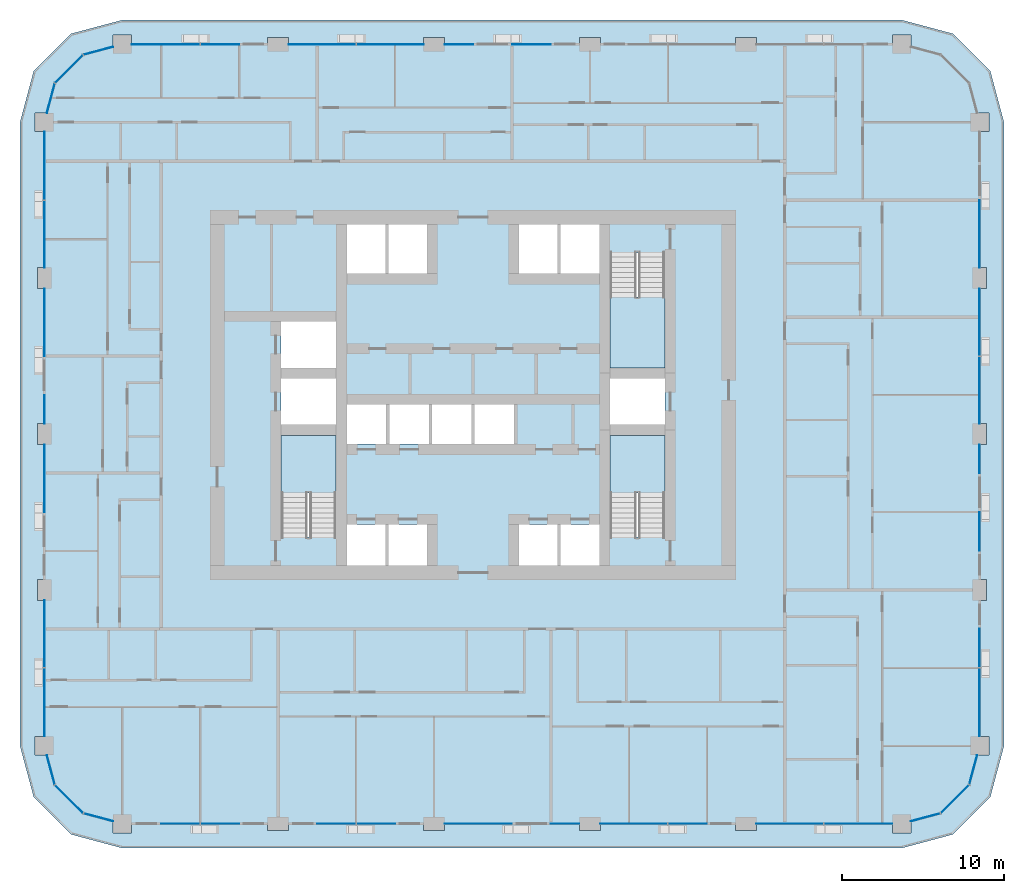
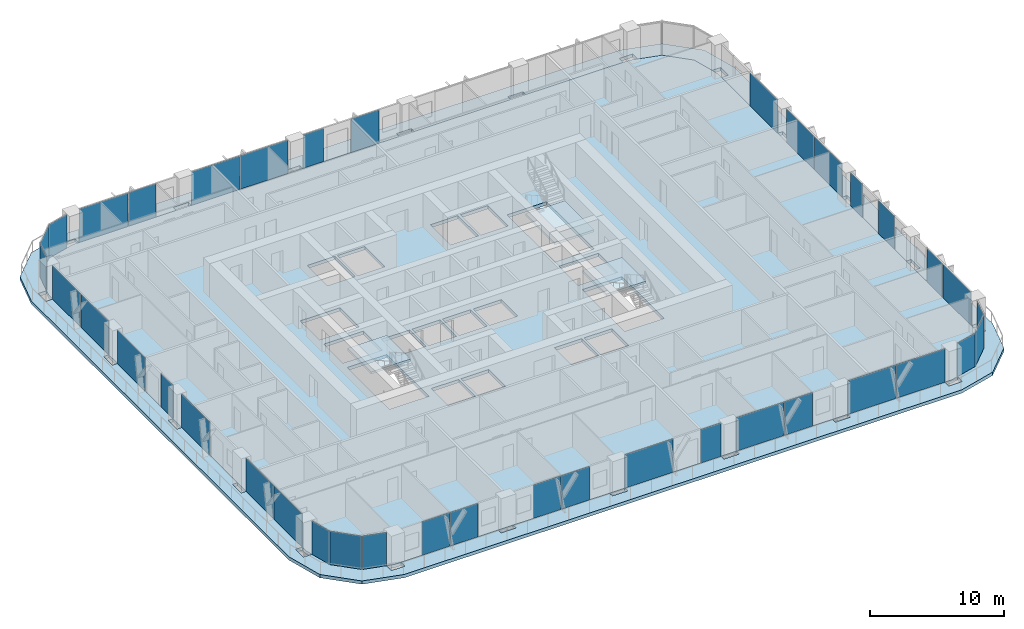
# One storey, part 7 of 21: 39 plates, 5 slabs, 22 elements without a shape of their own.
"""IFC4 building model written with IfcOpenShell, lengths in metres."""

from ifc_helpers import new_model, si_unit, direction, frame, origin, origin_2d, place, context, subcontext, project, spatial, polyline, rectangle, outline, extrude, material, layer, layer_set, type_object, element, aggregate, save


model = new_model("IFC4")

# Units and contexts
model_context = context("Model", 3, precision=1e-05, world=origin(), true_north=direction((0.0, 1.0)))
body_context = subcontext(model_context, "Body", "Model", "MODEL_VIEW")
ifc_project = project(units=[si_unit("LENGTHUNIT", "METRE"), si_unit("AREAUNIT", "SQUARE_METRE"), si_unit("VOLUMEUNIT", "CUBIC_METRE"), si_unit("PLANEANGLEUNIT", "RADIAN"), si_unit("MASSUNIT", "GRAM", prefix="KILO")], contexts=[model_context])

# Site, building, storey
site_placement = place(None, origin())
site = spatial("IfcSite", under=ifc_project, at=site_placement, CompositionType="ELEMENT")
building_placement = place(site_placement, origin())
building = spatial("IfcBuilding", under=site, at=building_placement, Name="Madar Terraces", CompositionType="ELEMENT")
storey_placement = place(building_placement, frame((0.0, 0.0, 80.300048828125)))
storey = spatial("IfcBuildingStorey", under=building, at=storey_placement, Name="L20", CompositionType="ELEMENT", Elevation=80.300048828125)

# Slabs
ifc_material_1 = material(Name="Concrete C50/60", Category="concrete")
ifc_layer_1 = layer(ifc_material_1, 0.300048828125)
ifc_layer_set_1 = layer_set([ifc_layer_1], Name="Balcony band 300")
slab_type_1 = type_object("IfcSlabType", Name="Balcony band 300", PredefinedType="FLOOR", material=ifc_layer_set_1)
slab_1_placement = place(storey_placement, frame((0.0, 0.0, -0.300048828125)))
element("IfcSlab", 1, at=slab_1_placement, inside=storey, type_object=slab_type_1, Name="Balcony band", PredefinedType="FLOOR", context=body_context, shape_type="SweptSolid", body=[
    extrude(outline(polyline([(9.60009765625, -1.5), (6.449951171875, -0.656005859375), (4.14404296875, 1.64990234375), (3.300048828125, 4.800048828125), (3.300048828125, 43.199951171875), (4.14404296875, 46.35009765625), (6.449951171875, 48.656005859375), (9.60009765625, 49.5), (57.60009765625, 49.5), (60.75, 48.656005859375), (63.055908203125, 46.35009765625), (63.89990234375, 43.199951171875), (63.89990234375, 4.800048828125), (63.055908203125, 1.64990234375), (60.75, -0.656005859375), (57.60009765625, -1.5), (9.60009765625, -1.5)]), holes=[polyline([(10.175048828125, -0.574951171875), (10.175048828125, 0.0), (18.550048828125, 0.0), (18.550048828125, -0.425048828125), (19.85009765625, -0.425048828125), (19.85009765625, 0.0), (28.14990234375, 0.0), (28.14990234375, -0.425048828125), (29.449951171875, -0.425048828125), (29.449951171875, 0.0), (37.75, 0.0), (37.75, -0.425048828125), (39.050048828125, -0.425048828125), (39.050048828125, 0.0), (47.35009765625, 0.0), (47.35009765625, -0.425048828125), (48.64990234375, -0.425048828125), (48.64990234375, 0.0), (57.02490234375, 0.0), (57.02490234375, -0.574951171875), (58.175048828125, -0.574951171875), (58.175048828125, 0.154052734375), (60.0, 0.64306640625), (61.7568359375, 2.39990234375), (62.245849609375, 4.22509765625), (62.97509765625, 4.22509765625), (62.97509765625, 5.375), (62.39990234375, 5.375), (62.39990234375, 13.75), (62.824951171875, 13.75), (62.824951171875, 15.050048828125), (62.39990234375, 15.050048828125), (62.39990234375, 23.35009765625), (62.824951171875, 23.35009765625), (62.824951171875, 24.64990234375), (62.39990234375, 24.64990234375), (62.39990234375, 32.949951171875), (62.824951171875, 32.949951171875), (62.824951171875, 34.25), (62.39990234375, 34.25), (62.39990234375, 42.625), (62.97509765625, 42.625), (62.97509765625, 43.77490234375), (62.245849609375, 43.77490234375), (61.7568359375, 45.60009765625), (60.0, 47.35693359375), (58.175048828125, 47.845947265625), (58.175048828125, 48.574951171875), (57.02490234375, 48.574951171875), (57.02490234375, 48.0), (48.64990234375, 48.0), (48.64990234375, 48.425048828125), (47.35009765625, 48.425048828125), (47.35009765625, 48.0), (39.050048828125, 48.0), (39.050048828125, 48.425048828125), (37.75, 48.425048828125), (37.75, 48.0), (29.449951171875, 48.0), (29.449951171875, 48.425048828125), (28.14990234375, 48.425048828125), (28.14990234375, 48.0), (19.85009765625, 48.0), (19.85009765625, 48.425048828125), (18.550048828125, 48.425048828125), (18.550048828125, 48.0), (10.175048828125, 48.0), (10.175048828125, 48.574951171875), (9.02490234375, 48.574951171875), (9.02490234375, 47.845947265625), (7.199951171875, 47.35693359375), (5.443115234375, 45.60009765625), (4.9541015625, 43.77490234375), (4.22509765625, 43.77490234375), (4.22509765625, 42.625), (4.800048828125, 42.625), (4.800048828125, 34.25), (4.375, 34.25), (4.375, 32.949951171875), (4.800048828125, 32.949951171875), (4.800048828125, 24.64990234375), (4.375, 24.64990234375), (4.375, 23.35009765625), (4.800048828125, 23.35009765625), (4.800048828125, 15.050048828125), (4.375, 15.050048828125), (4.375, 13.75), (4.800048828125, 13.75), (4.800048828125, 5.375), (4.22509765625, 5.375), (4.22509765625, 4.22509765625), (4.9541015625, 4.22509765625), (5.443115234375, 2.39990234375), (7.199951171875, 0.64306640625), (9.02490234375, 0.154052734375), (9.02490234375, -0.574951171875), (10.175048828125, -0.574951171875)])]), origin(), (0.0, 0.0, 1.0), 0.300048828125),
])
ifc_material_2 = material(Name="Concrete C50/60", Category="concrete")
ifc_layer_2 = layer(ifc_material_2, 0.300048828125)
ifc_layer_set_2 = layer_set([ifc_layer_2], Name="FS2 PT flat slab 300")
slab_type_2 = type_object("IfcSlabType", Name="FS2 PT flat slab 300", PredefinedType="FLOOR", material=ifc_layer_set_2)
slab_2_placement = place(storey_placement, frame((0.0, 0.0, -0.300048828125)))
element("IfcSlab", 2, at=slab_2_placement, inside=storey, type_object=slab_type_2, Name="Floor slab L20 (1)", PredefinedType="FLOOR", context=body_context, shape_type="SweptSolid", body=[
    extrude(outline(polyline([(57.60009765625, 0.0), (60.0, 0.64306640625), (61.7568359375, 2.39990234375), (62.39990234375, 4.800048828125), (62.39990234375, 43.199951171875), (61.7568359375, 45.60009765625), (60.0, 47.35693359375), (57.60009765625, 48.0), (9.60009765625, 48.0), (7.199951171875, 47.35693359375), (5.443115234375, 45.60009765625), (4.800048828125, 43.199951171875), (4.800048828125, 4.800048828125), (5.443115234375, 2.39990234375), (7.199951171875, 0.64306640625), (9.60009765625, 0.0), (57.60009765625, 0.0)]), holes=[polyline([(23.425048828125, 15.89990234375), (23.425048828125, 18.425048828125), (25.800048828125, 18.425048828125), (25.800048828125, 15.89990234375), (23.425048828125, 15.89990234375)]), polyline([(26.0, 15.89990234375), (26.0, 18.425048828125), (28.375, 18.425048828125), (28.375, 15.89990234375), (26.0, 15.89990234375)]), polyline([(19.375, 17.64990234375), (19.375, 23.925048828125), (22.77490234375, 23.925048828125), (22.77490234375, 17.64990234375), (19.375, 17.64990234375)]), polyline([(23.425048828125, 23.375), (23.425048828125, 25.824951171875), (25.85009765625, 25.824951171875), (25.85009765625, 23.375), (23.425048828125, 23.375)]), polyline([(26.050048828125, 23.375), (26.050048828125, 25.824951171875), (28.47509765625, 25.824951171875), (28.47509765625, 23.375), (26.050048828125, 23.375)]), polyline([(19.375, 24.574951171875), (19.375, 27.425048828125), (22.77490234375, 27.425048828125), (22.77490234375, 24.574951171875), (19.375, 24.574951171875)]), polyline([(19.375, 28.074951171875), (19.375, 30.925048828125), (22.77490234375, 30.925048828125), (22.77490234375, 28.074951171875), (19.375, 28.074951171875)]), polyline([(23.425048828125, 36.89990234375), (25.800048828125, 36.89990234375), (25.800048828125, 33.875), (23.425048828125, 33.875), (23.425048828125, 36.89990234375)]), polyline([(26.0, 36.89990234375), (28.375, 36.89990234375), (28.375, 33.875), (26.0, 33.875), (26.0, 36.89990234375)]), polyline([(34.02490234375, 15.89990234375), (34.02490234375, 18.425048828125), (36.39990234375, 18.425048828125), (36.39990234375, 15.89990234375), (34.02490234375, 15.89990234375)]), polyline([(36.60009765625, 15.89990234375), (36.60009765625, 18.425048828125), (38.97509765625, 18.425048828125), (38.97509765625, 15.89990234375), (36.60009765625, 15.89990234375)]), polyline([(39.625, 17.64990234375), (39.625, 23.925048828125), (43.02490234375, 23.925048828125), (43.02490234375, 17.64990234375), (39.625, 17.64990234375)]), polyline([(28.675048828125, 23.375), (28.675048828125, 25.824951171875), (31.10009765625, 25.824951171875), (31.10009765625, 23.375), (28.675048828125, 23.375)]), polyline([(31.300048828125, 23.375), (31.300048828125, 25.824951171875), (33.72509765625, 25.824951171875), (33.72509765625, 23.375), (31.300048828125, 23.375)]), polyline([(39.625, 24.574951171875), (39.625, 27.425048828125), (43.02490234375, 27.425048828125), (43.02490234375, 24.574951171875), (39.625, 24.574951171875)]), polyline([(39.625, 28.074951171875), (39.625, 35.14990234375), (43.02490234375, 35.14990234375), (43.02490234375, 28.074951171875), (39.625, 28.074951171875)]), polyline([(34.02490234375, 36.89990234375), (36.39990234375, 36.89990234375), (36.39990234375, 33.875), (34.02490234375, 33.875), (34.02490234375, 36.89990234375)]), polyline([(36.60009765625, 36.89990234375), (38.97509765625, 36.89990234375), (38.97509765625, 33.875), (36.60009765625, 33.875), (36.60009765625, 36.89990234375)])]), origin(), (0.0, 0.0, 1.0), 0.300048828125),
])

# Curtain wall, plates
ifc_material_3 = material(Name="Glass, ceramic frit dark grey, with black aluminium frame", Category="aluminium")
ifc_layer_3 = layer(ifc_material_3, 0.199951171875)
ifc_layer_set_3 = layer_set([ifc_layer_3], Name="Facade curtain wall, fritted glass")
curtain_wall_type = type_object("IfcCurtainWallType", Name="Facade curtain wall, fritted glass", PredefinedType="NOTDEFINED", material=ifc_layer_set_3)
curtain_wall_1_placement = place(storey_placement, origin())
curtain_wall_1 = element("IfcCurtainWall", 3, at=curtain_wall_1_placement, inside=storey, type_object=curtain_wall_type, Name="Outer skin curtain wall south bay 1", PredefinedType="NOTDEFINED")
ifc_material_4 = material(Name="Glass, ceramic frit dark grey", Category="glass")
ifc_layer_4 = layer(ifc_material_4, 0.028076171875)
ifc_layer_set_4 = layer_set([ifc_layer_4], Name="Facade glass panel 28")
plate_type = type_object("IfcPlateType", Name="Facade glass panel 28", PredefinedType="CURTAIN_PANEL", material=ifc_layer_set_4)
plate_1_placement = place(storey_placement, frame((13.18505859375, 0.0, 0.0), z_axis=(0.0, 0.0, 1.0), x_axis=(1.0, 0.0, 0.0)))
plate_1 = element("IfcPlate", 4, at=plate_1_placement, type_object=plate_type, Name="Panel 1", PredefinedType="CURTAIN_PANEL", context=body_context, shape_type="SweptSolid", body=[
    extrude(rectangle(XDim=2.3701171875, YDim=0.028076171875, at=origin_2d()), origin(), (0.0, 0.0, 1.0), 3.0400390625),
])
plate_2_placement = place(storey_placement, frame((15.614990234375, 0.0, 0.0), z_axis=(0.0, 0.0, 1.0), x_axis=(1.0, 0.0, 0.0)))
plate_2 = element("IfcPlate", 5, at=plate_2_placement, type_object=plate_type, Name="Panel 2", PredefinedType="CURTAIN_PANEL", context=body_context, shape_type="SweptSolid", body=[
    extrude(rectangle(XDim=2.3701171875, YDim=0.028076171875, at=origin_2d()), origin(), (0.0, 0.0, 1.0), 3.0400390625),
])
aggregate(curtain_wall_1, [plate_1, plate_2])

curtain_wall_2_placement = place(storey_placement, origin())
curtain_wall_2 = element("IfcCurtainWall", 6, at=curtain_wall_2_placement, inside=storey, type_object=curtain_wall_type, Name="Outer skin curtain wall south bay 2", PredefinedType="NOTDEFINED")
plate_3_placement = place(storey_placement, frame((22.784912109375, 0.0, 0.0), z_axis=(0.0, 0.0, 1.0), x_axis=(1.0, 0.0, 0.0)))
plate_3 = element("IfcPlate", 7, at=plate_3_placement, type_object=plate_type, Name="Panel 1", PredefinedType="CURTAIN_PANEL", context=body_context, shape_type="SweptSolid", body=[
    extrude(rectangle(XDim=2.3701171875, YDim=0.028076171875, at=origin_2d()), origin(), (0.0, 0.0, 1.0), 3.0400390625),
])
plate_4_placement = place(storey_placement, frame((25.215087890625, 0.0, 0.0), z_axis=(0.0, 0.0, 1.0), x_axis=(1.0, 0.0, 0.0)))
plate_4 = element("IfcPlate", 8, at=plate_4_placement, type_object=plate_type, Name="Panel 2", PredefinedType="CURTAIN_PANEL", context=body_context, shape_type="SweptSolid", body=[
    extrude(rectangle(XDim=2.3701171875, YDim=0.028076171875, at=origin_2d()), origin(), (0.0, 0.0, 1.0), 3.0400390625),
])
aggregate(curtain_wall_2, [plate_3, plate_4])

curtain_wall_3_placement = place(storey_placement, origin())
curtain_wall_3 = element("IfcCurtainWall", 9, at=curtain_wall_3_placement, inside=storey, type_object=curtain_wall_type, Name="Outer skin curtain wall south bay 3", PredefinedType="NOTDEFINED")
plate_5_placement = place(storey_placement, frame((31.52490234375, 0.0, 0.0), z_axis=(0.0, 0.0, 1.0), x_axis=(1.0, 0.0, 0.0)))
plate_5 = element("IfcPlate", 10, at=plate_5_placement, type_object=plate_type, Name="Panel 1", PredefinedType="CURTAIN_PANEL", context=body_context, shape_type="SweptSolid", body=[
    extrude(rectangle(XDim=4.14990234375, YDim=0.028076171875, at=origin_2d()), origin(), (0.0, 0.0, 1.0), 3.0400390625),
])
plate_6_placement = place(storey_placement, frame((36.875, 0.0, 0.0), z_axis=(0.0, 0.0, 1.0), x_axis=(1.0, 0.0, 0.0)))
plate_6 = element("IfcPlate", 11, at=plate_6_placement, type_object=plate_type, Name="Panel 2", PredefinedType="CURTAIN_PANEL", context=body_context, shape_type="SweptSolid", body=[
    extrude(rectangle(XDim=1.75, YDim=0.028076171875, at=origin_2d()), origin(), (0.0, 0.0, 1.0), 3.0400390625),
])
aggregate(curtain_wall_3, [plate_5, plate_6])

curtain_wall_4_placement = place(storey_placement, origin())
curtain_wall_4 = element("IfcCurtainWall", 12, at=curtain_wall_4_placement, inside=storey, type_object=curtain_wall_type, Name="Outer skin curtain wall south bay 4", PredefinedType="NOTDEFINED")
plate_7_placement = place(storey_placement, frame((41.110107421875, 0.0, 0.0), z_axis=(0.0, 0.0, 1.0), x_axis=(1.0, 0.0, 0.0)))
plate_7 = element("IfcPlate", 13, at=plate_7_placement, type_object=plate_type, Name="Panel 1", PredefinedType="CURTAIN_PANEL", context=body_context, shape_type="SweptSolid", body=[
    extrude(rectangle(XDim=4.1201171875, YDim=0.028076171875, at=origin_2d()), origin(), (0.0, 0.0, 1.0), 3.0400390625),
])
plate_8_placement = place(storey_placement, frame((44.4150390625, 0.0, 0.0), z_axis=(0.0, 0.0, 1.0), x_axis=(1.0, 0.0, 0.0)))
plate_8 = element("IfcPlate", 14, at=plate_8_placement, type_object=plate_type, Name="Panel 2", PredefinedType="CURTAIN_PANEL", context=body_context, shape_type="SweptSolid", body=[
    extrude(rectangle(XDim=2.3701171875, YDim=0.028076171875, at=origin_2d()), origin(), (0.0, 0.0, 1.0), 3.0400390625),
])
aggregate(curtain_wall_4, [plate_7, plate_8])

curtain_wall_5_placement = place(storey_placement, origin())
curtain_wall_5 = element("IfcCurtainWall", 15, at=curtain_wall_5_placement, inside=storey, type_object=curtain_wall_type, Name="Outer skin curtain wall south bay 5", PredefinedType="NOTDEFINED")
plate_9_placement = place(storey_placement, frame((50.7099609375, 0.0, 0.0), z_axis=(0.0, 0.0, 1.0), x_axis=(1.0, 0.0, 0.0)))
plate_9 = element("IfcPlate", 16, at=plate_9_placement, type_object=plate_type, Name="Panel 1", PredefinedType="CURTAIN_PANEL", context=body_context, shape_type="SweptSolid", body=[
    extrude(rectangle(XDim=4.1201171875, YDim=0.028076171875, at=origin_2d()), origin(), (0.0, 0.0, 1.0), 3.0400390625),
])
plate_10_placement = place(storey_placement, frame((54.927490234375, 0.0, 0.0), z_axis=(0.0, 0.0, 1.0), x_axis=(1.0, 0.0, 0.0)))
plate_10 = element("IfcPlate", 17, at=plate_10_placement, type_object=plate_type, Name="Panel 2", PredefinedType="CURTAIN_PANEL", context=body_context, shape_type="SweptSolid", body=[
    extrude(rectangle(XDim=4.195068359375, YDim=0.028076171875, at=origin_2d()), origin(), (0.0, 0.0, 1.0), 3.0400390625),
])
aggregate(curtain_wall_5, [plate_9, plate_10])

curtain_wall_6_placement = place(storey_placement, origin())
curtain_wall_6 = element("IfcCurtainWall", 18, at=curtain_wall_6_placement, inside=storey, type_object=curtain_wall_type, Name="Outer skin curtain wall east bay 1", PredefinedType="NOTDEFINED")
plate_11_placement = place(storey_placement, frame((62.39990234375, 7.472412109375, 0.0), z_axis=(0.0, 0.0, 1.0), x_axis=(0.0, 1.0, 0.0)))
plate_11 = element("IfcPlate", 19, at=plate_11_placement, type_object=plate_type, Name="Panel 1", PredefinedType="CURTAIN_PANEL", context=body_context, shape_type="SweptSolid", body=[
    extrude(rectangle(XDim=4.195068359375, YDim=0.028076171875, at=origin_2d()), origin(), (0.0, 0.0, 1.0), 3.0400390625),
])
plate_12_placement = place(storey_placement, frame((62.39990234375, 10.81494140625, 0.0), z_axis=(0.0, 0.0, 1.0), x_axis=(0.0, 1.0, 0.0)))
plate_12 = element("IfcPlate", 20, at=plate_12_placement, type_object=plate_type, Name="Panel 2", PredefinedType="CURTAIN_PANEL", context=body_context, shape_type="SweptSolid", body=[
    extrude(rectangle(XDim=2.3701171875, YDim=0.028076171875, at=origin_2d()), origin(), (0.0, 0.0, 1.0), 3.0400390625),
])
aggregate(curtain_wall_6, [plate_11, plate_12])

curtain_wall_7_placement = place(storey_placement, origin())
curtain_wall_7 = element("IfcCurtainWall", 21, at=curtain_wall_7_placement, inside=storey, type_object=curtain_wall_type, Name="Outer skin curtain wall east bay 2", PredefinedType="NOTDEFINED")
plate_13_placement = place(storey_placement, frame((62.39990234375, 18.0, 0.0), z_axis=(0.0, 0.0, 1.0), x_axis=(0.0, 1.0, 0.0)))
plate_13 = element("IfcPlate", 22, at=plate_13_placement, type_object=plate_type, Name="Panel 1", PredefinedType="CURTAIN_PANEL", context=body_context, shape_type="SweptSolid", body=[
    extrude(rectangle(XDim=2.39990234375, YDim=0.028076171875, at=origin_2d()), origin(), (0.0, 0.0, 1.0), 3.0400390625),
])
plate_14_placement = place(storey_placement, frame((62.39990234375, 22.47509765625, 0.0), z_axis=(0.0, 0.0, 1.0), x_axis=(0.0, 1.0, 0.0)))
plate_14 = element("IfcPlate", 23, at=plate_14_placement, type_object=plate_type, Name="Panel 2", PredefinedType="CURTAIN_PANEL", context=body_context, shape_type="SweptSolid", body=[
    extrude(rectangle(XDim=1.75, YDim=0.028076171875, at=origin_2d()), origin(), (0.0, 0.0, 1.0), 3.0400390625),
])
aggregate(curtain_wall_7, [plate_13, plate_14])

curtain_wall_8_placement = place(storey_placement, origin())
curtain_wall_8 = element("IfcCurtainWall", 24, at=curtain_wall_8_placement, inside=storey, type_object=curtain_wall_type, Name="Outer skin curtain wall east bay 3", PredefinedType="NOTDEFINED")
plate_15_placement = place(storey_placement, frame((62.39990234375, 26.7099609375, 0.0), z_axis=(0.0, 0.0, 1.0), x_axis=(0.0, 1.0, 0.0)))
plate_15 = element("IfcPlate", 25, at=plate_15_placement, type_object=plate_type, Name="Panel 1", PredefinedType="CURTAIN_PANEL", context=body_context, shape_type="SweptSolid", body=[
    extrude(rectangle(XDim=4.1201171875, YDim=0.028076171875, at=origin_2d()), origin(), (0.0, 0.0, 1.0), 3.0400390625),
])
plate_16_placement = place(storey_placement, frame((62.39990234375, 30.889892578125, 0.0), z_axis=(0.0, 0.0, 1.0), x_axis=(0.0, 1.0, 0.0)))
plate_16 = element("IfcPlate", 26, at=plate_16_placement, type_object=plate_type, Name="Panel 2", PredefinedType="CURTAIN_PANEL", context=body_context, shape_type="SweptSolid", body=[
    extrude(rectangle(XDim=4.1201171875, YDim=0.028076171875, at=origin_2d()), origin(), (0.0, 0.0, 1.0), 3.0400390625),
])
aggregate(curtain_wall_8, [plate_15, plate_16])

# Curtain wall, plate
curtain_wall_9_placement = place(storey_placement, origin())
curtain_wall_9 = element("IfcCurtainWall", 27, at=curtain_wall_9_placement, inside=storey, type_object=curtain_wall_type, Name="Outer skin curtain wall east bay 4", PredefinedType="NOTDEFINED")
plate_17_placement = place(storey_placement, frame((62.39990234375, 36.324951171875, 0.0), z_axis=(0.0, 0.0, 1.0), x_axis=(0.0, 1.0, 0.0)))
plate_17 = element("IfcPlate", 28, at=plate_17_placement, type_object=plate_type, Name="Panel 1", PredefinedType="CURTAIN_PANEL", context=body_context, shape_type="SweptSolid", body=[
    extrude(rectangle(XDim=4.14990234375, YDim=0.028076171875, at=origin_2d()), origin(), (0.0, 0.0, 1.0), 3.0400390625),
])
aggregate(curtain_wall_9, [plate_17])

# Curtain wall, plates
curtain_wall_10_placement = place(storey_placement, origin())
curtain_wall_10 = element("IfcCurtainWall", 29, at=curtain_wall_10_placement, inside=storey, type_object=curtain_wall_type, Name="Outer skin curtain wall north bay 3", PredefinedType="NOTDEFINED")
plate_18_placement = place(storey_placement, frame((34.800048828125, 48.0, 0.0), z_axis=(0.0, 0.0, 1.0), x_axis=(-1.0, 0.0, 0.0)))
plate_18 = element("IfcPlate", 30, at=plate_18_placement, type_object=plate_type, Name="Panel 1", PredefinedType="CURTAIN_PANEL", context=body_context, shape_type="SweptSolid", body=[
    extrude(rectangle(XDim=2.39990234375, YDim=0.028076171875, at=origin_2d()), origin(), (0.0, 0.0, 1.0), 3.0400390625),
])
plate_19_placement = place(storey_placement, frame((30.324951171875, 48.0, 0.0), z_axis=(0.0, 0.0, 1.0), x_axis=(-1.0, 0.0, 0.0)))
plate_19 = element("IfcPlate", 31, at=plate_19_placement, type_object=plate_type, Name="Panel 2", PredefinedType="CURTAIN_PANEL", context=body_context, shape_type="SweptSolid", body=[
    extrude(rectangle(XDim=1.75, YDim=0.028076171875, at=origin_2d()), origin(), (0.0, 0.0, 1.0), 3.0400390625),
])
aggregate(curtain_wall_10, [plate_18, plate_19])

curtain_wall_11_placement = place(storey_placement, origin())
curtain_wall_11 = element("IfcCurtainWall", 32, at=curtain_wall_11_placement, inside=storey, type_object=curtain_wall_type, Name="Outer skin curtain wall north bay 4", PredefinedType="NOTDEFINED")
plate_20_placement = place(storey_placement, frame((26.090087890625, 48.0, 0.0), z_axis=(0.0, 0.0, 1.0), x_axis=(-1.0, 0.0, 0.0)))
plate_20 = element("IfcPlate", 33, at=plate_20_placement, type_object=plate_type, Name="Panel 1", PredefinedType="CURTAIN_PANEL", context=body_context, shape_type="SweptSolid", body=[
    extrude(rectangle(XDim=4.1201171875, YDim=0.028076171875, at=origin_2d()), origin(), (0.0, 0.0, 1.0), 3.0400390625),
])
plate_21_placement = place(storey_placement, frame((21.909912109375, 48.0, 0.0), z_axis=(0.0, 0.0, 1.0), x_axis=(-1.0, 0.0, 0.0)))
plate_21 = element("IfcPlate", 34, at=plate_21_placement, type_object=plate_type, Name="Panel 2", PredefinedType="CURTAIN_PANEL", context=body_context, shape_type="SweptSolid", body=[
    extrude(rectangle(XDim=4.1201171875, YDim=0.028076171875, at=origin_2d()), origin(), (0.0, 0.0, 1.0), 3.0400390625),
])
aggregate(curtain_wall_11, [plate_20, plate_21])

curtain_wall_12_placement = place(storey_placement, origin())
curtain_wall_12 = element("IfcCurtainWall", 35, at=curtain_wall_12_placement, inside=storey, type_object=curtain_wall_type, Name="Outer skin curtain wall north bay 5", PredefinedType="NOTDEFINED")
plate_22_placement = place(storey_placement, frame((15.614990234375, 48.0, 0.0), z_axis=(0.0, 0.0, 1.0), x_axis=(-1.0, 0.0, 0.0)))
plate_22 = element("IfcPlate", 36, at=plate_22_placement, type_object=plate_type, Name="Panel 1", PredefinedType="CURTAIN_PANEL", context=body_context, shape_type="SweptSolid", body=[
    extrude(rectangle(XDim=2.3701171875, YDim=0.028076171875, at=origin_2d()), origin(), (0.0, 0.0, 1.0), 3.0400390625),
])
plate_23_placement = place(storey_placement, frame((12.2724609375, 48.0, 0.0), z_axis=(0.0, 0.0, 1.0), x_axis=(-1.0, 0.0, 0.0)))
plate_23 = element("IfcPlate", 37, at=plate_23_placement, type_object=plate_type, Name="Panel 2", PredefinedType="CURTAIN_PANEL", context=body_context, shape_type="SweptSolid", body=[
    extrude(rectangle(XDim=4.195068359375, YDim=0.028076171875, at=origin_2d()), origin(), (0.0, 0.0, 1.0), 3.0400390625),
])
aggregate(curtain_wall_12, [plate_22, plate_23])

curtain_wall_13_placement = place(storey_placement, origin())
curtain_wall_13 = element("IfcCurtainWall", 38, at=curtain_wall_13_placement, inside=storey, type_object=curtain_wall_type, Name="Outer skin curtain wall west bay 1", PredefinedType="NOTDEFINED")
plate_24_placement = place(storey_placement, frame((4.800048828125, 40.527587890625, 0.0), z_axis=(0.0, 0.0, 1.0), x_axis=(0.0, -1.0, 0.0)))
plate_24 = element("IfcPlate", 39, at=plate_24_placement, type_object=plate_type, Name="Panel 1", PredefinedType="CURTAIN_PANEL", context=body_context, shape_type="SweptSolid", body=[
    extrude(rectangle(XDim=4.195068359375, YDim=0.028076171875, at=origin_2d()), origin(), (0.0, 0.0, 1.0), 3.0400390625),
])
plate_25_placement = place(storey_placement, frame((4.800048828125, 36.31005859375, 0.0), z_axis=(0.0, 0.0, 1.0), x_axis=(0.0, -1.0, 0.0)))
plate_25 = element("IfcPlate", 40, at=plate_25_placement, type_object=plate_type, Name="Panel 2", PredefinedType="CURTAIN_PANEL", context=body_context, shape_type="SweptSolid", body=[
    extrude(rectangle(XDim=4.1201171875, YDim=0.028076171875, at=origin_2d()), origin(), (0.0, 0.0, 1.0), 3.0400390625),
])
aggregate(curtain_wall_13, [plate_24, plate_25])

curtain_wall_14_placement = place(storey_placement, origin())
curtain_wall_14 = element("IfcCurtainWall", 41, at=curtain_wall_14_placement, inside=storey, type_object=curtain_wall_type, Name="Outer skin curtain wall west bay 2", PredefinedType="NOTDEFINED")
plate_26_placement = place(storey_placement, frame((4.800048828125, 30.875, 0.0), z_axis=(0.0, 0.0, 1.0), x_axis=(0.0, -1.0, 0.0)))
plate_26 = element("IfcPlate", 42, at=plate_26_placement, type_object=plate_type, Name="Panel 1", PredefinedType="CURTAIN_PANEL", context=body_context, shape_type="SweptSolid", body=[
    extrude(rectangle(XDim=4.14990234375, YDim=0.028076171875, at=origin_2d()), origin(), (0.0, 0.0, 1.0), 3.0400390625),
])
plate_27_placement = place(storey_placement, frame((4.800048828125, 25.52490234375, 0.0), z_axis=(0.0, 0.0, 1.0), x_axis=(0.0, -1.0, 0.0)))
plate_27 = element("IfcPlate", 43, at=plate_27_placement, type_object=plate_type, Name="Panel 2", PredefinedType="CURTAIN_PANEL", context=body_context, shape_type="SweptSolid", body=[
    extrude(rectangle(XDim=1.75, YDim=0.028076171875, at=origin_2d()), origin(), (0.0, 0.0, 1.0), 3.0400390625),
])
aggregate(curtain_wall_14, [plate_26, plate_27])

# Curtain wall, plate
curtain_wall_15_placement = place(storey_placement, origin())
curtain_wall_15 = element("IfcCurtainWall", 44, at=curtain_wall_15_placement, inside=storey, type_object=curtain_wall_type, Name="Outer skin curtain wall west bay 3", PredefinedType="NOTDEFINED")
plate_28_placement = place(storey_placement, frame((4.800048828125, 21.27490234375, 0.0), z_axis=(0.0, 0.0, 1.0), x_axis=(0.0, -1.0, 0.0)))
plate_28 = element("IfcPlate", 45, at=plate_28_placement, type_object=plate_type, Name="Panel 1", PredefinedType="CURTAIN_PANEL", context=body_context, shape_type="SweptSolid", body=[
    extrude(rectangle(XDim=4.14990234375, YDim=0.028076171875, at=origin_2d()), origin(), (0.0, 0.0, 1.0), 3.0400390625),
])
aggregate(curtain_wall_15, [plate_28])

# Curtain wall, plates
curtain_wall_16_placement = place(storey_placement, origin())
curtain_wall_16 = element("IfcCurtainWall", 46, at=curtain_wall_16_placement, inside=storey, type_object=curtain_wall_type, Name="Outer skin curtain wall west bay 4", PredefinedType="NOTDEFINED")
plate_29_placement = place(storey_placement, frame((4.800048828125, 11.68994140625, 0.0), z_axis=(0.0, 0.0, 1.0), x_axis=(0.0, -1.0, 0.0)))
plate_29 = element("IfcPlate", 47, at=plate_29_placement, type_object=plate_type, Name="Panel 1", PredefinedType="CURTAIN_PANEL", context=body_context, shape_type="SweptSolid", body=[
    extrude(rectangle(XDim=4.1201171875, YDim=0.028076171875, at=origin_2d()), origin(), (0.0, 0.0, 1.0), 3.0400390625),
])
plate_30_placement = place(storey_placement, frame((4.800048828125, 7.472412109375, 0.0), z_axis=(0.0, 0.0, 1.0), x_axis=(0.0, -1.0, 0.0)))
plate_30 = element("IfcPlate", 48, at=plate_30_placement, type_object=plate_type, Name="Panel 2", PredefinedType="CURTAIN_PANEL", context=body_context, shape_type="SweptSolid", body=[
    extrude(rectangle(XDim=4.195068359375, YDim=0.028076171875, at=origin_2d()), origin(), (0.0, 0.0, 1.0), 3.0400390625),
])
aggregate(curtain_wall_16, [plate_29, plate_30])

curtain_wall_17_placement = place(storey_placement, origin())
curtain_wall_17 = element("IfcCurtainWall", 49, at=curtain_wall_17_placement, inside=storey, type_object=curtain_wall_type, Name="Outer skin curtain wall south-east corner", PredefinedType="NOTDEFINED")
plate_31_placement = place(storey_placement, frame((59.072998046875, 0.394775390625, 0.0), z_axis=(0.0, 0.0, 1.0), x_axis=(0.965925832509, 0.258819021888, 0.0)))
plate_31 = element("IfcPlate", 50, at=plate_31_placement, type_object=plate_type, Name="Panel 1", PredefinedType="CURTAIN_PANEL", context=body_context, shape_type="SweptSolid", body=[
    extrude(rectangle(XDim=1.859375, YDim=0.028076171875, at=origin_2d()), origin(), (0.0, 0.0, 1.0), 3.0400390625),
])
plate_32_placement = place(storey_placement, frame((60.87841796875, 1.521484375, 0.0), z_axis=(0.0, 0.0, 1.0), x_axis=(0.707106781187, 0.707106781187, 0.0)))
plate_32 = element("IfcPlate", 51, at=plate_32_placement, type_object=plate_type, Name="Panel 2", PredefinedType="CURTAIN_PANEL", context=body_context, shape_type="SweptSolid", body=[
    extrude(rectangle(XDim=2.424560546875, YDim=0.028076171875, at=origin_2d()), origin(), (0.0, 0.0, 1.0), 3.0400390625),
])
plate_33_placement = place(storey_placement, frame((62.00537109375, 3.326904296875, 0.0), z_axis=(0.0, 0.0, 1.0), x_axis=(0.258819021888, 0.965925832509, 0.0)))
plate_33 = element("IfcPlate", 52, at=plate_33_placement, type_object=plate_type, Name="Panel 3", PredefinedType="CURTAIN_PANEL", context=body_context, shape_type="SweptSolid", body=[
    extrude(rectangle(XDim=1.859375, YDim=0.028076171875, at=origin_2d()), origin(), (0.0, 0.0, 1.0), 3.0400390625),
])
aggregate(curtain_wall_17, [plate_31, plate_32, plate_33])

curtain_wall_18_placement = place(storey_placement, origin())
curtain_wall_18 = element("IfcCurtainWall", 53, at=curtain_wall_18_placement, inside=storey, type_object=curtain_wall_type, Name="Outer skin curtain wall north-west corner", PredefinedType="NOTDEFINED")
plate_34_placement = place(storey_placement, frame((8.126953125, 47.605224609375, 0.0), z_axis=(0.0, 0.0, 1.0), x_axis=(-0.965925832509, -0.258819021888, 0.0)))
plate_34 = element("IfcPlate", 54, at=plate_34_placement, type_object=plate_type, Name="Panel 1", PredefinedType="CURTAIN_PANEL", context=body_context, shape_type="SweptSolid", body=[
    extrude(rectangle(XDim=1.859375, YDim=0.028076171875, at=origin_2d()), origin(), (0.0, 0.0, 1.0), 3.0400390625),
])
plate_35_placement = place(storey_placement, frame((6.321533203125, 46.478515625, 0.0), z_axis=(0.0, 0.0, 1.0), x_axis=(-0.707106781187, -0.707106781187, 0.0)))
plate_35 = element("IfcPlate", 55, at=plate_35_placement, type_object=plate_type, Name="Panel 2", PredefinedType="CURTAIN_PANEL", context=body_context, shape_type="SweptSolid", body=[
    extrude(rectangle(XDim=2.424560546875, YDim=0.028076171875, at=origin_2d()), origin(), (0.0, 0.0, 1.0), 3.0400390625),
])
plate_36_placement = place(storey_placement, frame((5.194580078125, 44.673095703125, 0.0), z_axis=(0.0, 0.0, 1.0), x_axis=(-0.258819021888, -0.965925832509, 0.0)))
plate_36 = element("IfcPlate", 56, at=plate_36_placement, type_object=plate_type, Name="Panel 3", PredefinedType="CURTAIN_PANEL", context=body_context, shape_type="SweptSolid", body=[
    extrude(rectangle(XDim=1.859375, YDim=0.028076171875, at=origin_2d()), origin(), (0.0, 0.0, 1.0), 3.0400390625),
])
aggregate(curtain_wall_18, [plate_34, plate_35, plate_36])

curtain_wall_19_placement = place(storey_placement, origin())
curtain_wall_19 = element("IfcCurtainWall", 57, at=curtain_wall_19_placement, inside=storey, type_object=curtain_wall_type, Name="Outer skin curtain wall south-west corner", PredefinedType="NOTDEFINED")
plate_37_placement = place(storey_placement, frame((5.194580078125, 3.326904296875, 0.0), z_axis=(0.0, 0.0, 1.0), x_axis=(0.258819021888, -0.965925832509, 0.0)))
plate_37 = element("IfcPlate", 58, at=plate_37_placement, type_object=plate_type, Name="Panel 1", PredefinedType="CURTAIN_PANEL", context=body_context, shape_type="SweptSolid", body=[
    extrude(rectangle(XDim=1.859375, YDim=0.028076171875, at=origin_2d()), origin(), (0.0, 0.0, 1.0), 3.0400390625),
])
plate_38_placement = place(storey_placement, frame((6.321533203125, 1.521484375, 0.0), z_axis=(0.0, 0.0, 1.0), x_axis=(0.707106781187, -0.707106781187, 0.0)))
plate_38 = element("IfcPlate", 59, at=plate_38_placement, type_object=plate_type, Name="Panel 2", PredefinedType="CURTAIN_PANEL", context=body_context, shape_type="SweptSolid", body=[
    extrude(rectangle(XDim=2.424560546875, YDim=0.028076171875, at=origin_2d()), origin(), (0.0, 0.0, 1.0), 3.0400390625),
])
plate_39_placement = place(storey_placement, frame((8.126953125, 0.394775390625, 0.0), z_axis=(0.0, 0.0, 1.0), x_axis=(0.965925832509, -0.258819021888, 0.0)))
plate_39 = element("IfcPlate", 60, at=plate_39_placement, type_object=plate_type, Name="Panel 3", PredefinedType="CURTAIN_PANEL", context=body_context, shape_type="SweptSolid", body=[
    extrude(rectangle(XDim=1.859375, YDim=0.028076171875, at=origin_2d()), origin(), (0.0, 0.0, 1.0), 3.0400390625),
])
aggregate(curtain_wall_19, [plate_37, plate_38, plate_39])

# Stair, slab
ifc_material_5 = material(Name="Concrete C50/60", Category="concrete")
stair_type_1 = type_object("IfcStairType", Name="Stair ST1 protected exit", PredefinedType="HALF_TURN_STAIR", material=ifc_material_5)
stair_1_placement = place(storey_placement, origin())
stair_1 = element("IfcStair", 61, at=stair_1_placement, inside=storey, type_object=stair_type_1, Name="L20 Protected Exit Stair ST1", PredefinedType="HALF_TURN_STAIR")
ifc_material_6 = material(Name="Concrete C50/60", Category="concrete")
ifc_layer_5 = layer(ifc_material_6, 0.199951171875)
ifc_layer_set_5 = layer_set([ifc_layer_5], Name="Stair landing 200, top +1.75")
slab_type_3 = type_object("IfcSlabType", Name="Stair landing 200, top +1.75", PredefinedType="LANDING", material=ifc_layer_set_5)
slab_3_placement = place(storey_placement, frame((0.0, 0.0, 1.550048828125)))
slab_3 = element("IfcSlab", 62, at=slab_3_placement, type_object=slab_type_3, Name="ST1 landing 1", PredefinedType="LANDING", context=body_context, shape_type="SweptSolid", body=[
    extrude(outline(polyline([(19.375, 20.360107421875), (22.77490234375, 20.360107421875), (22.77490234375, 23.925048828125), (19.375, 23.925048828125), (19.375, 20.360107421875)])), origin(), (0.0, 0.0, 1.0), 0.199951171875),
])
aggregate(stair_1, [slab_3])

ifc_material_7 = material(Name="Concrete C50/60", Category="concrete")
stair_type_2 = type_object("IfcStairType", Name="Stair ST2 protected exit", PredefinedType="HALF_TURN_STAIR", material=ifc_material_7)
stair_2_placement = place(storey_placement, origin())
stair_2 = element("IfcStair", 63, at=stair_2_placement, inside=storey, type_object=stair_type_2, Name="L20 Protected Exit Stair ST2", PredefinedType="HALF_TURN_STAIR")
slab_4_placement = place(storey_placement, frame((0.0, 0.0, 1.550048828125)))
slab_4 = element("IfcSlab", 64, at=slab_4_placement, type_object=slab_type_3, Name="ST2 landing 1", PredefinedType="LANDING", context=body_context, shape_type="SweptSolid", body=[
    extrude(outline(polyline([(39.625, 28.074951171875), (43.02490234375, 28.074951171875), (43.02490234375, 32.43994140625), (39.625, 32.43994140625), (39.625, 28.074951171875)])), origin(), (0.0, 0.0, 1.0), 0.199951171875),
])
aggregate(stair_2, [slab_4])

ifc_material_8 = material(Name="Concrete C50/60", Category="concrete")
stair_type_3 = type_object("IfcStairType", Name="Stair ST3 protected exit", PredefinedType="HALF_TURN_STAIR", material=ifc_material_8)
stair_3_placement = place(storey_placement, origin())
stair_3 = element("IfcStair", 65, at=stair_3_placement, inside=storey, type_object=stair_type_3, Name="L20 Protected Exit Stair ST3", PredefinedType="HALF_TURN_STAIR")
slab_5_placement = place(storey_placement, frame((0.0, 0.0, 1.550048828125)))
slab_5 = element("IfcSlab", 66, at=slab_5_placement, type_object=slab_type_3, Name="ST3 landing 1", PredefinedType="LANDING", context=body_context, shape_type="SweptSolid", body=[
    extrude(outline(polyline([(39.625, 20.360107421875), (43.02490234375, 20.360107421875), (43.02490234375, 23.925048828125), (39.625, 23.925048828125), (39.625, 20.360107421875)])), origin(), (0.0, 0.0, 1.0), 0.199951171875),
])
aggregate(stair_3, [slab_5])

save(model, "model.ifc")
